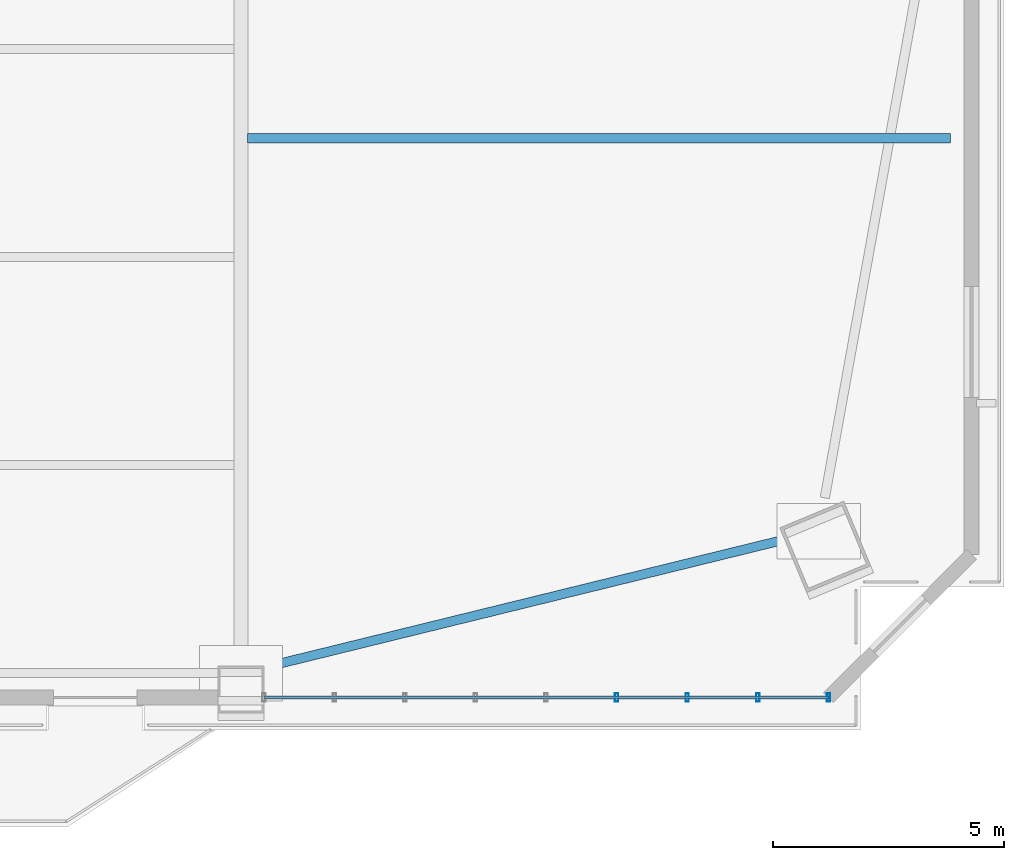
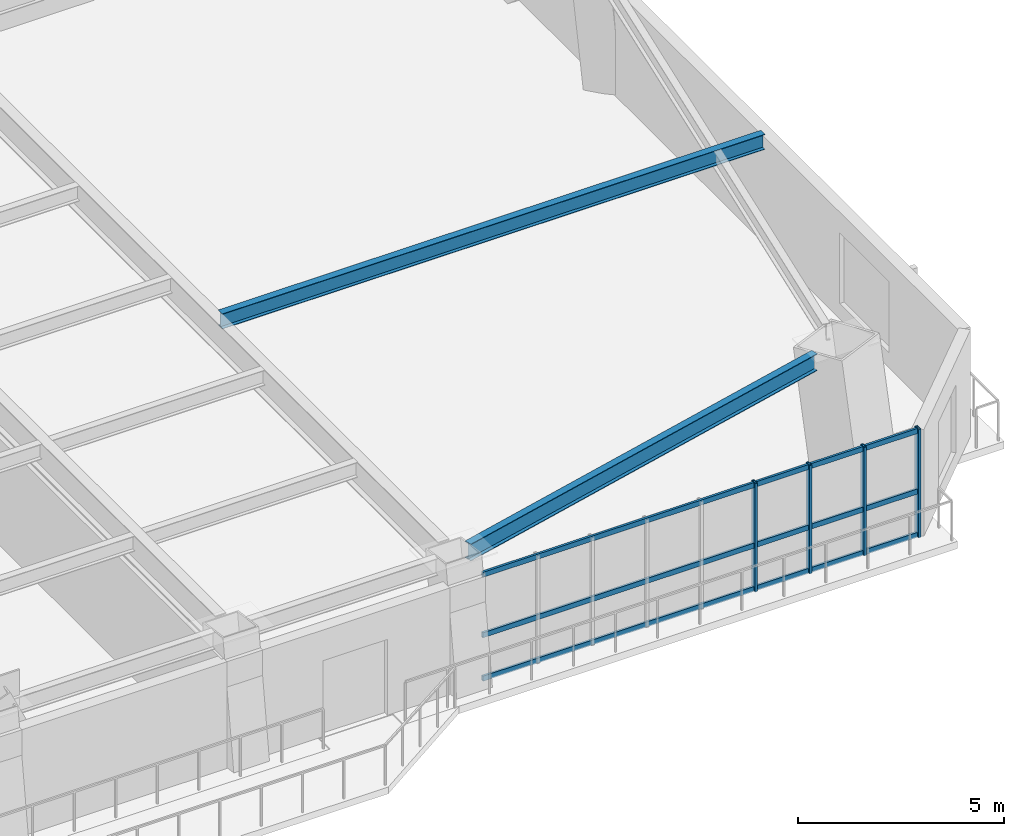
# One storey, part 5 of 16: 7 members, 2 beams, 1 element without a shape of its own.
"""IFC4 building model written with IfcOpenShell, lengths in metres."""

from ifc_helpers import new_model, si_unit, direction, frame, origin, origin_2d, place, context, subcontext, project, spatial, hollow_rectangle, i_section, extrude, source, transform, mapped, material, layer, layer_set, material_profile, profile_set, type_object, element, aggregate, save


model = new_model("IFC4")

# Units and contexts
model_context = context("Model", 3, precision=1e-05, world=origin(), true_north=direction((0.0, 1.0)))
body_context = subcontext(model_context, "Body", "Model", "MODEL_VIEW")
ifc_project = project(units=[si_unit("LENGTHUNIT", "METRE"), si_unit("AREAUNIT", "SQUARE_METRE"), si_unit("VOLUMEUNIT", "CUBIC_METRE"), si_unit("PLANEANGLEUNIT", "RADIAN"), si_unit("MASSUNIT", "GRAM", prefix="KILO")], contexts=[model_context])

# Site, building, storey
site_placement = place(None, origin())
site = spatial("IfcSite", under=ifc_project, at=site_placement, CompositionType="ELEMENT")
building_placement = place(site_placement, origin())
building = spatial("IfcBuilding", under=site, at=building_placement, Name="Giltprow Tower", CompositionType="ELEMENT")
storey_placement = place(building_placement, frame((0.0, 0.0, 83.5)))
storey = spatial("IfcBuildingStorey", under=building, at=storey_placement, Name="L20", CompositionType="ELEMENT", Elevation=83.5)

# Beams
ifc_material_1 = material(Name="Structural steel Q355B", Category="steel")
ifc_material_profile_1 = material_profile(ifc_material_1, i_section(OverallWidth=0.199951171875, OverallDepth=0.5, WebThickness=0.010009765625, FlangeThickness=0.01611328125, at=origin_2d()), Name="HN 500x200x10x16")
ifc_profile_set_1 = profile_set([ifc_material_profile_1], Name="Structural steel Q355B")
beam_type_1 = type_object("IfcBeamType", Name="BM-SPAN-HN500", PredefinedType="SPANDREL", material=ifc_profile_set_1)
shared_shape_1 = source(origin(), body_context, "Body", "SweptSolid", [
    extrude(i_section(OverallWidth=0.199951171875, OverallDepth=0.5, WebThickness=0.010009765625, FlangeThickness=0.01611328125, at=origin_2d()), origin(), (0.0, 0.0, 1.0), 11.6572265625),
])
beam_1_placement = place(storey_placement, frame((51.02099609375, 6.052001953125, 3.429931640625), z_axis=(0.971167309464, 0.238398945109, 0.0), x_axis=(-0.238398945109, 0.971167309464, 0.0)))
element("IfcBeam", 1, at=beam_1_placement, inside=storey, type_object=beam_type_1, Name="L20 Perimeter Spandrel Beam S4-MC_SE", PredefinedType="SPANDREL", context=body_context, shape_type="MappedRepresentation", body=[
    mapped(shared_shape_1, transform((0.0, 0.0, 0.0), x_axis=(1.0, 0.0, 0.0), y_axis=(0.0, 1.0, 0.0), z_axis=(0.0, 0.0, 1.0), scale=1.0)),
])
ifc_material_profile_2 = material_profile(ifc_material_1, i_section(OverallWidth=0.199951171875, OverallDepth=0.449951171875, WebThickness=0.009033203125, FlangeThickness=0.013916015625, at=origin_2d()), Name="HN 450x200x9x14")
ifc_profile_set_2 = profile_set([ifc_material_profile_2], Name="Structural steel Q355B")
beam_type_2 = type_object("IfcBeamType", Name="BM-JOIST-HN450", PredefinedType="JOIST", material=ifc_profile_set_2)
shared_shape_2 = source(origin(), body_context, "Body", "SweptSolid", [
    extrude(i_section(OverallWidth=0.199951171875, OverallDepth=0.449951171875, WebThickness=0.009033203125, FlangeThickness=0.013916015625, at=origin_2d()), origin(), (0.0, 0.0, 1.0), 15.2109375),
])
beam_2_placement = place(storey_placement, frame((50.695068359375, 17.511962890625, 3.455078125), z_axis=(1.0, 0.0, 0.0), x_axis=(0.0, 1.0, 0.0)))
element("IfcBeam", 2, at=beam_2_placement, inside=storey, type_object=beam_type_2, Name="L20 East Wing Floor Joist 1", PredefinedType="JOIST", context=body_context, shape_type="MappedRepresentation", body=[
    mapped(shared_shape_2, transform((0.0, 0.0, 0.0), x_axis=(1.0, 0.0, 0.0), y_axis=(0.0, 1.0, 0.0), z_axis=(0.0, 0.0, 1.0), scale=1.0)),
])

# Curtain wall, members
ifc_material_2 = material(Name="Anodized bronze", Category="metal")
ifc_layer = layer(ifc_material_2, 0.179931640625, Name="Anodized bronze")
ifc_layer_set = layer_set([ifc_layer], Name="Anodized bronze")
curtain_wall_type = type_object("IfcCurtainWallType", Name="CW-OFF-RECESSED", PredefinedType="NOTDEFINED", material=ifc_layer_set)
curtain_wall_placement = place(storey_placement, origin())
curtain_wall = element("IfcCurtainWall", 3, at=curtain_wall_placement, inside=storey, type_object=curtain_wall_type, Name="L20 South Recessed Curtain Wall 6", PredefinedType="NOTDEFINED")
ifc_material_profile_3 = material_profile(ifc_material_2, hollow_rectangle(XDim=0.074951171875, YDim=0.179931640625, WallThickness=0.008056640625, at=origin_2d()), Name="RHS 180x75x8")
ifc_profile_set_3 = profile_set([ifc_material_profile_3], Name="Anodized bronze")
member_type_1 = type_object("IfcMemberType", Name="CW-MULLION-180x75", PredefinedType="MULLION", material=ifc_profile_set_3)
shared_shape_3 = source(origin(), body_context, "Body", "SweptSolid", [
    extrude(hollow_rectangle(XDim=0.074951171875, YDim=0.179931640625, WallThickness=0.008056640625, at=origin_2d()), origin(), (0.0, 0.0, 1.0), 3.215087890625),
])
member_1_placement = place(storey_placement, frame((58.68408203125, 5.408935546875, -0.02001953125), z_axis=(0.0, 0.0, 1.0), x_axis=(1.0, 0.0, 0.0)))
member_1 = element("IfcMember", 4, at=member_1_placement, type_object=member_type_1, Name="L20 South Recessed Curtain Wall 6 Mullion 6", PredefinedType="MULLION", context=body_context, shape_type="MappedRepresentation", body=[
    mapped(shared_shape_3, transform((0.0, 0.0, 0.0), x_axis=(1.0, 0.0, 0.0), y_axis=(0.0, 1.0, 0.0), z_axis=(0.0, 0.0, 1.0), scale=1.0)),
])
member_2_placement = place(storey_placement, frame((60.2109375, 5.408935546875, -0.02001953125), z_axis=(0.0, 0.0, 1.0), x_axis=(1.0, 0.0, 0.0)))
member_2 = element("IfcMember", 5, at=member_2_placement, type_object=member_type_1, Name="L20 South Recessed Curtain Wall 6 Mullion 7", PredefinedType="MULLION", context=body_context, shape_type="MappedRepresentation", body=[
    mapped(shared_shape_3, transform((0.0, 0.0, 0.0), x_axis=(1.0, 0.0, 0.0), y_axis=(0.0, 1.0, 0.0), z_axis=(0.0, 0.0, 1.0), scale=1.0)),
])
member_3_placement = place(storey_placement, frame((61.738037109375, 5.408935546875, -0.02001953125), z_axis=(0.0, 0.0, 1.0), x_axis=(1.0, 0.0, 0.0)))
member_3 = element("IfcMember", 6, at=member_3_placement, type_object=member_type_1, Name="L20 South Recessed Curtain Wall 6 Mullion 8", PredefinedType="MULLION", context=body_context, shape_type="MappedRepresentation", body=[
    mapped(shared_shape_3, transform((0.0, 0.0, 0.0), x_axis=(1.0, 0.0, 0.0), y_axis=(0.0, 1.0, 0.0), z_axis=(0.0, 0.0, 1.0), scale=1.0)),
])
member_4_placement = place(storey_placement, frame((63.264892578125, 5.408935546875, -0.02001953125), z_axis=(0.0, 0.0, 1.0), x_axis=(1.0, 0.0, 0.0)))
member_4 = element("IfcMember", 7, at=member_4_placement, type_object=member_type_1, Name="L20 South Recessed Curtain Wall 6 Mullion 9", PredefinedType="MULLION", context=body_context, shape_type="MappedRepresentation", body=[
    mapped(shared_shape_3, transform((0.0, 0.0, 0.0), x_axis=(1.0, 0.0, 0.0), y_axis=(0.0, 1.0, 0.0), z_axis=(0.0, 0.0, 1.0), scale=1.0)),
])
ifc_material_profile_4 = material_profile(ifc_material_2, hollow_rectangle(XDim=0.06494140625, YDim=0.14990234375, WallThickness=0.006103515625, at=origin_2d()), Name="RHS 150x65x6")
ifc_profile_set_4 = profile_set([ifc_material_profile_4], Name="Anodized bronze")
member_type_2 = type_object("IfcMemberType", Name="CW-TRANSOM-150x65", PredefinedType="USERDEFINED", material=ifc_profile_set_4)
shared_shape_4 = source(origin(), body_context, "Body", "SweptSolid", [
    extrude(hollow_rectangle(XDim=0.06494140625, YDim=0.14990234375, WallThickness=0.006103515625, at=origin_2d()), origin(), (0.0, 0.0, 1.0), 12.21484375),
])
member_5_placement = place(storey_placement, frame((51.050048828125, 5.408935546875, 0.0400390625), z_axis=(1.0, 0.0, 0.0), x_axis=(0.0, 1.0, 0.0)))
member_5 = element("IfcMember", 8, at=member_5_placement, type_object=member_type_2, Name="L20 South Recessed Curtain Wall 6 Transom 1", ObjectType="TRANSOM", PredefinedType="USERDEFINED", context=body_context, shape_type="MappedRepresentation", body=[
    mapped(shared_shape_4, transform((0.0, 0.0, 0.0), x_axis=(1.0, 0.0, 0.0), y_axis=(0.0, 1.0, 0.0), z_axis=(0.0, 0.0, 1.0), scale=1.0)),
])
member_6_placement = place(storey_placement, frame((51.050048828125, 5.408935546875, 1.326904296875), z_axis=(1.0, 0.0, 0.0), x_axis=(0.0, 1.0, 0.0)))
member_6 = element("IfcMember", 9, at=member_6_placement, type_object=member_type_2, Name="L20 South Recessed Curtain Wall 6 Transom 2", ObjectType="TRANSOM", PredefinedType="USERDEFINED", context=body_context, shape_type="MappedRepresentation", body=[
    mapped(shared_shape_4, transform((0.0, 0.0, 0.0), x_axis=(1.0, 0.0, 0.0), y_axis=(0.0, 1.0, 0.0), z_axis=(0.0, 0.0, 1.0), scale=1.0)),
])
member_7_placement = place(storey_placement, frame((51.050048828125, 5.408935546875, 3.1201171875), z_axis=(1.0, 0.0, 0.0), x_axis=(0.0, 1.0, 0.0)))
member_7 = element("IfcMember", 10, at=member_7_placement, type_object=member_type_2, Name="L20 South Recessed Curtain Wall 6 Transom 3", ObjectType="TRANSOM", PredefinedType="USERDEFINED", context=body_context, shape_type="MappedRepresentation", body=[
    mapped(shared_shape_4, transform((0.0, 0.0, 0.0), x_axis=(1.0, 0.0, 0.0), y_axis=(0.0, 1.0, 0.0), z_axis=(0.0, 0.0, 1.0), scale=1.0)),
])
aggregate(curtain_wall, [member_1, member_2, member_3, member_4, member_5, member_6, member_7])

save(model, "model.ifc")
